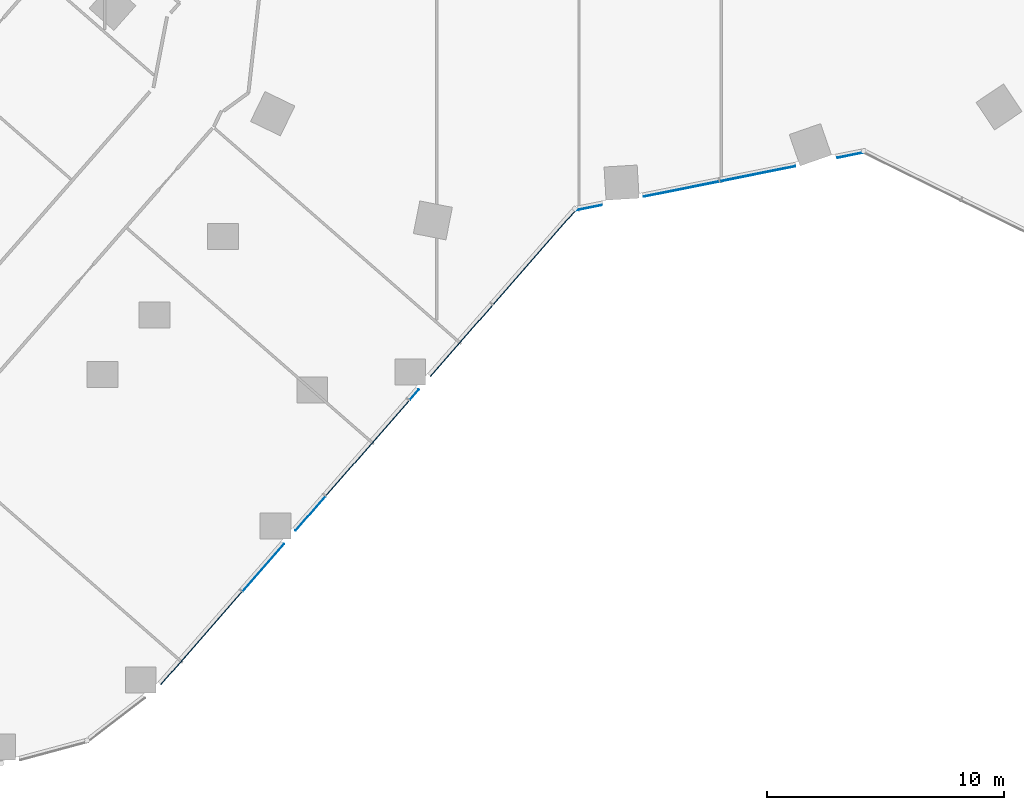
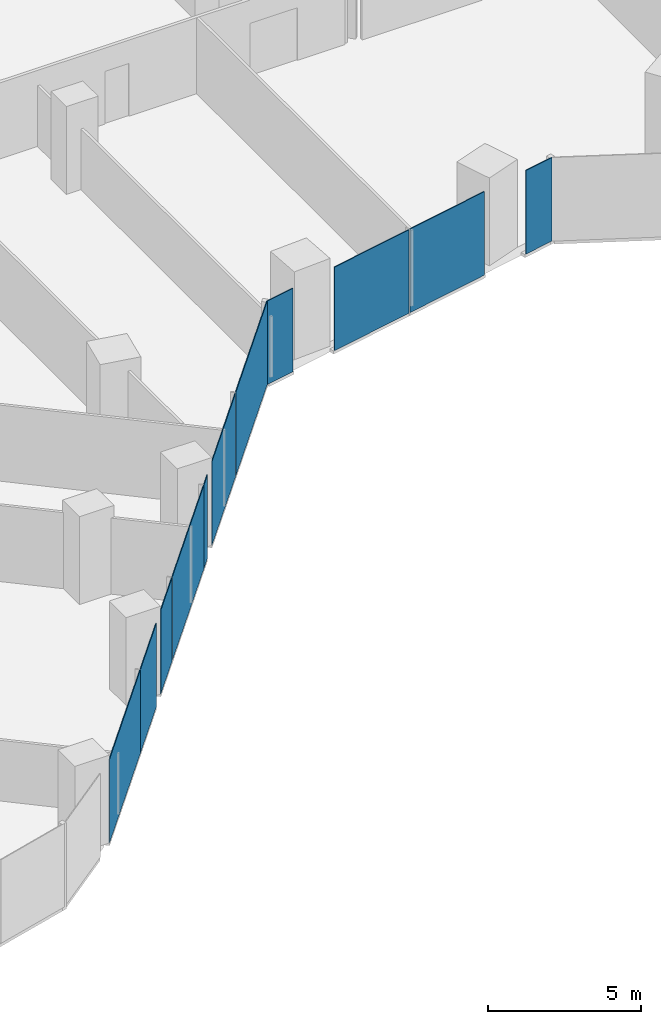
# One storey, part 19 of 38: 11 plates, 2 elements without a shape of their own.
"""IFC4 building model written with IfcOpenShell, lengths in metres."""

from ifc_helpers import new_model, si_unit, direction, frame, origin, origin_2d, place, context, subcontext, project, spatial, rectangle, extrude, material, layer, layer_set, type_object, element, aggregate, save


model = new_model("IFC4")

# Units and contexts
model_context = context("Model", 3, precision=1e-05, world=origin(), true_north=direction((0.0, 1.0)))
body_context = subcontext(model_context, "Body", "Model", "MODEL_VIEW")
ifc_project = project(units=[si_unit("LENGTHUNIT", "METRE"), si_unit("AREAUNIT", "SQUARE_METRE"), si_unit("VOLUMEUNIT", "CUBIC_METRE"), si_unit("PLANEANGLEUNIT", "RADIAN"), si_unit("MASSUNIT", "GRAM", prefix="KILO")], contexts=[model_context])

# Site, building, storey
site_placement = place(None, origin())
site = spatial("IfcSite", under=ifc_project, at=site_placement, CompositionType="ELEMENT")
building_placement = place(site_placement, origin())
building = spatial("IfcBuilding", under=site, at=building_placement, Name="Orlundy Tower", CompositionType="ELEMENT")
storey_placement = place(building_placement, frame((0.0, 0.0, 72.800048828125)))
storey = spatial("IfcBuildingStorey", under=building, at=storey_placement, Name="L17", CompositionType="ELEMENT", Elevation=72.800048828125)

# Curtain wall, plates
ifc_material_1 = material(Name="Aluminium bronze anodised", Category="aluminium")
curtain_wall_type = type_object("IfcCurtainWallType", Name="CW1 wall", PredefinedType="NOTDEFINED", material=ifc_material_1)
curtain_wall_1_placement = place(storey_placement, origin())
curtain_wall_1 = element("IfcCurtainWall", 1, at=curtain_wall_1_placement, inside=storey, type_object=curtain_wall_type, Name="CW1 run 01", PredefinedType="NOTDEFINED")
ifc_material_2 = material(Name="Tinted glass", Category="glass")
ifc_layer = layer(ifc_material_2, 0.031982421875)
ifc_layer_set = layer_set([ifc_layer], Name="CW1 glass panel 32")
plate_type = type_object("IfcPlateType", Name="CW1 glass panel 32", PredefinedType="CURTAIN_PANEL", material=ifc_layer_set)
plate_1_placement = place(storey_placement, frame((11.448486328125, -28.46923828125, -0.280029296875), z_axis=(0.0, 0.0, 1.0), x_axis=(-0.980497420907, -0.196531950572, 0.0)))
plate_1 = element("IfcPlate", 2, at=plate_1_placement, type_object=plate_type, Name="CW1 panel", PredefinedType="CURTAIN_PANEL", context=body_context, shape_type="SweptSolid", body=[
    extrude(rectangle(XDim=1.114013671875, YDim=0.031982421875, at=origin_2d()), origin(), (0.0, 0.0, 1.0), 3.330078125),
])
plate_2_placement = place(storey_placement, frame((7.536376953125, -29.25341796875, -0.280029296875), z_axis=(0.0, 0.0, 1.0), x_axis=(-0.980497420907, -0.196531950572, 0.0)))
plate_2 = element("IfcPlate", 3, at=plate_2_placement, type_object=plate_type, Name="CW1 panel", PredefinedType="CURTAIN_PANEL", context=body_context, shape_type="SweptSolid", body=[
    extrude(rectangle(XDim=3.2314453125, YDim=0.031982421875, at=origin_2d()), origin(), (0.0, 0.0, 1.0), 3.330078125),
])
plate_3_placement = place(storey_placement, frame((4.31884765625, -29.898193359375, -0.280029296875), z_axis=(0.0, 0.0, 1.0), x_axis=(-0.980497420907, -0.196531950572, 0.0)))
plate_3 = element("IfcPlate", 4, at=plate_3_placement, type_object=plate_type, Name="CW1 panel", PredefinedType="CURTAIN_PANEL", context=body_context, shape_type="SweptSolid", body=[
    extrude(rectangle(XDim=3.231689453125, YDim=0.031982421875, at=origin_2d()), origin(), (0.0, 0.0, 1.0), 3.330078125),
])
plate_4_placement = place(storey_placement, frame((0.40673828125, -30.682373046875, -0.280029296875), z_axis=(0.0, 0.0, 1.0), x_axis=(-0.980497420907, -0.196531950572, 0.0)))
plate_4 = element("IfcPlate", 5, at=plate_4_placement, type_object=plate_type, Name="CW1 panel", PredefinedType="CURTAIN_PANEL", context=body_context, shape_type="SweptSolid", body=[
    extrude(rectangle(XDim=1.11376953125, YDim=0.031982421875, at=origin_2d()), origin(), (0.0, 0.0, 1.0), 3.330078125),
])
aggregate(curtain_wall_1, [plate_1, plate_2, plate_3, plate_4])

curtain_wall_2_placement = place(storey_placement, origin())
curtain_wall_2 = element("IfcCurtainWall", 6, at=curtain_wall_2_placement, inside=storey, type_object=curtain_wall_type, Name="CW1 run 02", PredefinedType="NOTDEFINED")
plate_5_placement = place(storey_placement, frame((-1.875732421875, -32.77783203125, -0.280029296875), z_axis=(0.0, 0.0, 1.0), x_axis=(-0.658258754452, -0.752791745563, 0.0)))
plate_5 = element("IfcPlate", 7, at=plate_5_placement, type_object=plate_type, Name="CW1 panel", PredefinedType="CURTAIN_PANEL", context=body_context, shape_type="SweptSolid", body=[
    extrude(rectangle(XDim=5.276123046875, YDim=0.031982421875, at=origin_2d()), origin(), (0.0, 0.0, 1.0), 3.330078125),
])
plate_6_placement = place(storey_placement, frame((-4.95654296875, -36.301025390625, -0.280029296875), z_axis=(0.0, 0.0, 1.0), x_axis=(-0.658258754452, -0.752791745563, 0.0)))
plate_6 = element("IfcPlate", 8, at=plate_6_placement, type_object=plate_type, Name="CW1 panel", PredefinedType="CURTAIN_PANEL", context=body_context, shape_type="SweptSolid", body=[
    extrude(rectangle(XDim=3.984375, YDim=0.031982421875, at=origin_2d()), origin(), (0.0, 0.0, 1.0), 3.330078125),
])
plate_7_placement = place(storey_placement, frame((-6.948486328125, -38.5791015625, -0.280029296875), z_axis=(0.0, 0.0, 1.0), x_axis=(-0.658258754452, -0.752791745563, 0.0)))
plate_7 = element("IfcPlate", 9, at=plate_7_placement, type_object=plate_type, Name="CW1 panel", PredefinedType="CURTAIN_PANEL", context=body_context, shape_type="SweptSolid", body=[
    extrude(rectangle(XDim=0.576904296875, YDim=0.031982421875, at=origin_2d()), origin(), (0.0, 0.0, 1.0), 3.330078125),
])
plate_8_placement = place(storey_placement, frame((-8.91796875, -40.83154296875, -0.280029296875), z_axis=(0.0, 0.0, 1.0), x_axis=(-0.658258754452, -0.752791745563, 0.0)))
plate_8 = element("IfcPlate", 10, at=plate_8_placement, type_object=plate_type, Name="CW1 panel", PredefinedType="CURTAIN_PANEL", context=body_context, shape_type="SweptSolid", body=[
    extrude(rectangle(XDim=5.306884765625, YDim=0.031982421875, at=origin_2d()), origin(), (0.0, 0.0, 1.0), 3.330078125),
])
plate_9_placement = place(storey_placement, frame((-11.32421875, -43.583251953125, -0.280029296875), z_axis=(0.0, 0.0, 1.0), x_axis=(-0.658258754452, -0.752791745563, 0.0)))
plate_9 = element("IfcPlate", 11, at=plate_9_placement, type_object=plate_type, Name="CW1 panel", PredefinedType="CURTAIN_PANEL", context=body_context, shape_type="SweptSolid", body=[
    extrude(rectangle(XDim=1.904052734375, YDim=0.031982421875, at=origin_2d()), origin(), (0.0, 0.0, 1.0), 3.330078125),
])
plate_10_placement = place(storey_placement, frame((-13.316650390625, -45.86181640625, -0.280029296875), z_axis=(0.0, 0.0, 1.0), x_axis=(-0.658258754452, -0.752791745563, 0.0)))
plate_10 = element("IfcPlate", 12, at=plate_10_placement, type_object=plate_type, Name="CW1 panel", PredefinedType="CURTAIN_PANEL", context=body_context, shape_type="SweptSolid", body=[
    extrude(rectangle(XDim=2.65625, YDim=0.031982421875, at=origin_2d()), origin(), (0.0, 0.0, 1.0), 3.330078125),
])
plate_11_placement = place(storey_placement, frame((-15.930419921875, -48.850830078125, -0.280029296875), z_axis=(0.0, 0.0, 1.0), x_axis=(-0.658258754452, -0.752791745563, 0.0)))
plate_11 = element("IfcPlate", 13, at=plate_11_placement, type_object=plate_type, Name="CW1 panel", PredefinedType="CURTAIN_PANEL", context=body_context, shape_type="SweptSolid", body=[
    extrude(rectangle(XDim=5.185302734375, YDim=0.031982421875, at=origin_2d()), origin(), (0.0, 0.0, 1.0), 3.330078125),
])
aggregate(curtain_wall_2, [plate_5, plate_6, plate_7, plate_8, plate_9, plate_10, plate_11])

save(model, "model.ifc")
